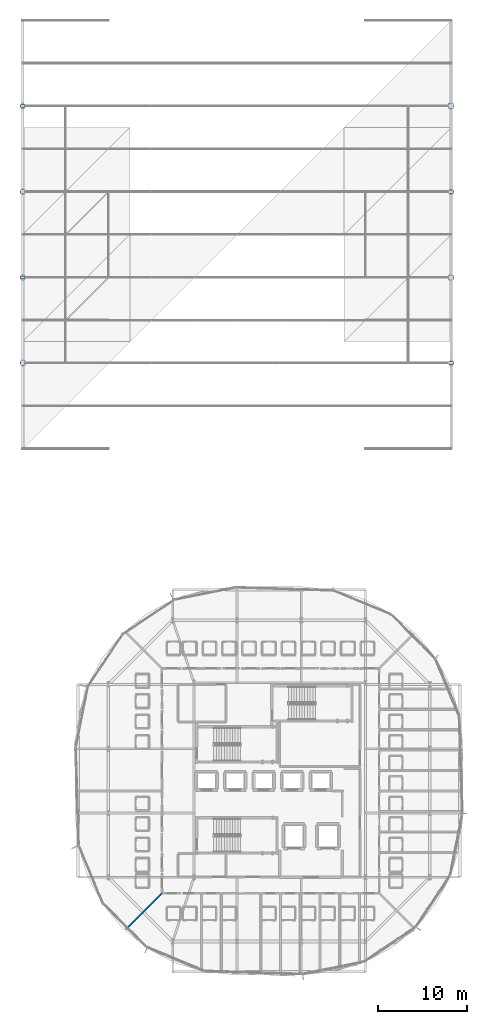
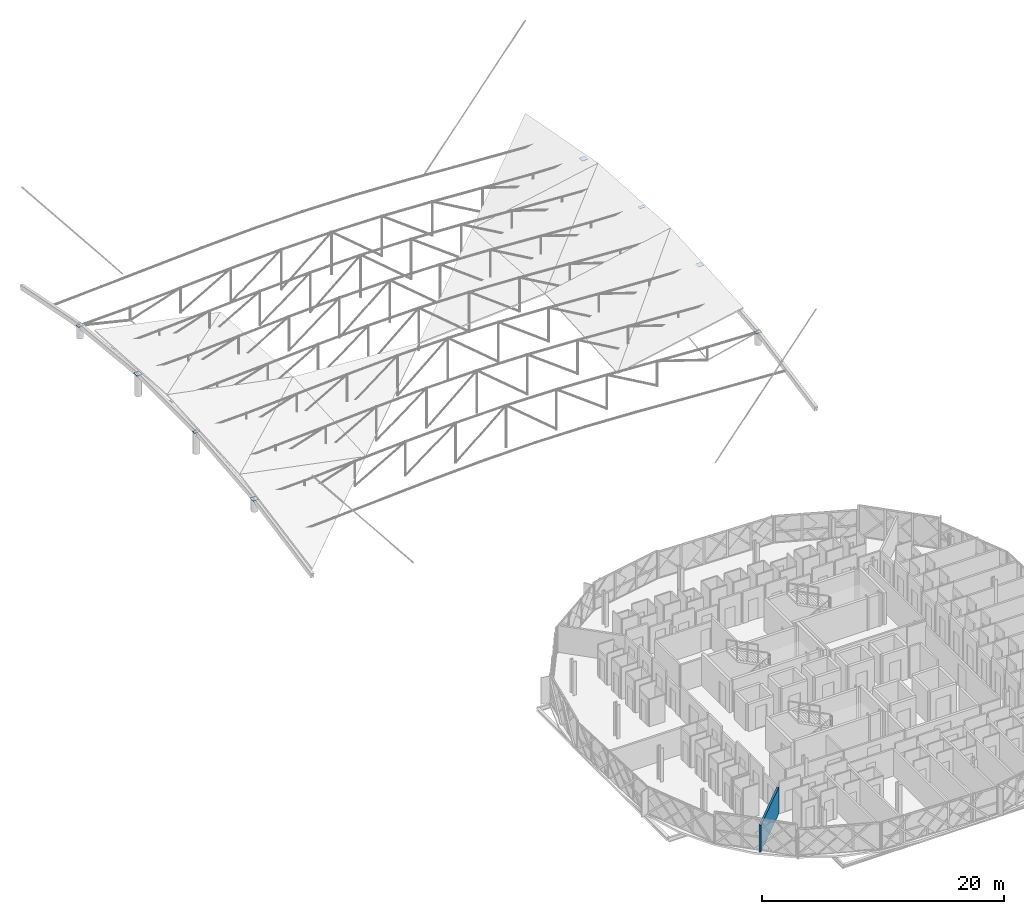
# One storey, part 37 of 50: 8 plates, 1 wall.
"""IFC4 building model written with IfcOpenShell, lengths in metres."""

import ifcopenshell
import ifcopenshell.guid

model = None  # the IFC model being written
_history = None  # IfcOwnerHistory: only IFC2X3 demands one
_inside = {}  # id of a spatial element -> (the spatial element, [elements in it])
_under = {}  # id of a project, library or spatial element -> (it, [spatial elements below it])
_declared = {}  # id of a project -> (the project, [libraries it declares])
_typed = {}  # id of a type object -> (the type object, [elements of that type])
_made_of = {}  # id of a material, layer set ... -> (it, [elements and type objects made of it])


def new_model(schema):
    """Start an empty IFC model of exactly this schema.

    Asked for "IFC4X3", IfcOpenShell would pick the latest addendum, in which some entities
    have other attributes; the version numbers below select the first issue.
    IFC2X3 requires an IfcOwnerHistory on every rooted entity: one is made here for all.
    """
    global model, _history
    if schema == "IFC4X3":
        model = ifcopenshell.file(schema_version=(4, 3, 0, 0))
    else:
        model = ifcopenshell.file(schema=schema)
    _inside.clear()
    _under.clear()
    _declared.clear()
    _typed.clear()
    _made_of.clear()
    _history = None
    if model.schema == "IFC2X3":
        org = make("IfcOrganization", Name="unknown")
        user = make(
            "IfcPersonAndOrganization",
            ThePerson=make("IfcPerson", FamilyName="unknown"),
            TheOrganization=org,
        )
        app = make(
            "IfcApplication",
            ApplicationDeveloper=org,
            Version="unknown",
            ApplicationFullName="unknown",
            ApplicationIdentifier="unknown",
        )
        _history = make(
            "IfcOwnerHistory",
            OwningUser=user,
            OwningApplication=app,
            ChangeAction="ADDED",
            CreationDate=0,
        )
    return model


def make(cls, **values):
    """One entity of the class cls with the attributes given. An attribute that is None is left unset."""
    return model.create_entity(
        cls, **{name: value for name, value in values.items() if value is not None}
    )


def rooted(cls, **values):
    """An entity with a GlobalId (a new one), such as an element, a storey or a relation."""
    return make(cls, GlobalId=ifcopenshell.guid.new(), OwnerHistory=_history, **values)


def si_unit(unit_type, name, prefix=None):
    """IfcSIUnit, for example si_unit("LENGTHUNIT", "METRE", prefix="MILLI")."""
    return make("IfcSIUnit", UnitType=unit_type, Prefix=prefix, Name=name)


def assignment(units):
    """IfcUnitAssignment: the units of a project."""
    return None if units is None else make("IfcUnitAssignment", Units=units)


def point(xyz):
    """IfcCartesianPoint."""
    return None if xyz is None else make("IfcCartesianPoint", Coordinates=xyz)


def direction(xyz):
    """IfcDirection."""
    return None if xyz is None else make("IfcDirection", DirectionRatios=xyz)


def frame(location, z_axis=None, x_axis=None):
    """IfcAxis2Placement3D, a coordinate frame: its origin and axes. An axis left out is left unset."""
    return make(
        "IfcAxis2Placement3D",
        Location=point(location),
        Axis=direction(z_axis),
        RefDirection=direction(x_axis),
    )


def frame_2d(location, x_axis=None):
    """IfcAxis2Placement2D, a coordinate frame in the plane: its origin and x axis."""
    return make(
        "IfcAxis2Placement2D", Location=point(location), RefDirection=direction(x_axis)
    )


def origin():
    """The frame at (0, 0, 0) with its axes left unset."""
    return frame((0.0, 0.0, 0.0))


def origin_2d():
    """The frame at (0, 0) in the plane with its x axis left unset."""
    return frame_2d((0.0, 0.0))


def place(relative_to, where):
    """IfcLocalPlacement: puts the frame where relative to a parent placement (None: the world)."""
    return make(
        "IfcLocalPlacement", PlacementRelTo=relative_to, RelativePlacement=where
    )


def context(
    kind, dimensions, precision=None, world=None, true_north=None, identifier=None
):
    """IfcGeometricRepresentationContext, for example the 3D "Model" context."""
    return make(
        "IfcGeometricRepresentationContext",
        ContextIdentifier=identifier,
        ContextType=kind,
        CoordinateSpaceDimension=dimensions,
        Precision=precision,
        WorldCoordinateSystem=world,
        TrueNorth=true_north,
    )


def subcontext(parent, identifier, kind, view, scale=None):
    """IfcGeometricRepresentationSubContext, for example "Body" below "Model"."""
    return make(
        "IfcGeometricRepresentationSubContext",
        ContextIdentifier=identifier,
        ContextType=kind,
        ParentContext=parent,
        TargetScale=scale,
        TargetView=view,
    )


def project(units=None, contexts=None):
    """IfcProject with its units and contexts."""
    return rooted(
        "IfcProject",
        Name="project",
        RepresentationContexts=contexts,
        UnitsInContext=assignment(units),
    )


def spatial(cls, under=None, at=None, **own):
    """A site, building, storey or space (cls), placed at a placement, below another one or the project."""
    s = rooted(cls, ObjectPlacement=at, **own)
    if under is not None:
        _under.setdefault(under.id(), (under, []))[1].append(s)
    return s


def profile(cls, at=None, kind="AREA", **sizes):
    """A parametric profile (cls). Its sizes go by their IFC names, for example OverallWidth=200.0."""
    return make(cls, ProfileType=kind, Position=at, **sizes)


def rectangle(**sizes):
    """IfcRectangleProfileDef."""
    return profile("IfcRectangleProfileDef", **sizes)


def extrude(swept, where, along, depth):
    """IfcExtrudedAreaSolid: the profile swept, set in the frame where, extruded along a direction by depth."""
    return make(
        "IfcExtrudedAreaSolid",
        SweptArea=swept,
        Position=where,
        ExtrudedDirection=direction(along),
        Depth=depth,
    )


def shape(context_of_items, identifier, shape_type, items):
    """IfcShapeRepresentation: the items that make up one representation, for example the "Body"."""
    return make(
        "IfcShapeRepresentation",
        ContextOfItems=context_of_items,
        RepresentationIdentifier=identifier,
        RepresentationType=shape_type,
        Items=items,
    )


def material(Name=None, Category=None):
    """IfcMaterial."""
    return make("IfcMaterial", Name=Name, Category=Category)


def layer(
    of_material, thickness, ventilated=None, Name=None, Category=None, Priority=None
):
    """IfcMaterialLayer: one layer of a wall or slab, of a material (None: an air gap)."""
    return make(
        "IfcMaterialLayer",
        Material=of_material,
        LayerThickness=thickness,
        IsVentilated=ventilated,
        Name=Name,
        Category=Category,
        Priority=Priority,
    )


def layer_set(layers, Name=None):
    """IfcMaterialLayerSet."""
    return make("IfcMaterialLayerSet", MaterialLayers=layers, LayerSetName=Name)


def made_of(thing, what):
    """Note that an element or type object is made of a material, layer set ...; save() writes the relation."""
    if what is not None:
        _made_of.setdefault(what.id(), (what, []))[1].append(thing)
    return thing


def type_object(cls, material=None, **own):
    """A type object (cls), such as IfcWallType, which elements share."""
    return made_of(rooted(cls, **own), material)


def element(
    cls,
    number,
    at=None,
    inside=None,
    cuts=None,
    type_object=None,
    material=None,
    context=None,
    identifier="Body",
    shape_type=None,
    held_by="IfcProductDefinitionShape",
    body=None,
    shapes=None,
    **own,
):
    """One element of the class cls, such as IfcWall. Its Tag is "e" and its number.

    at: its placement. inside: the storey or other place that contains it. cuts: it is an
    opening in that element (IfcRelVoidsElement). A single representation is given by context,
    identifier, shape_type and body (its items); several are given by shapes. held_by: the class
    of the entity that holds the representations. save() writes the other relations.
    """
    e = rooted(cls, Tag="e%d" % number, ObjectPlacement=at, **own)
    if body is not None:
        shapes = [shape(context, identifier, shape_type, body)]
    if shapes is not None:
        e.Representation = make(held_by, Representations=shapes)
    if inside is not None:
        _inside.setdefault(inside.id(), (inside, []))[1].append(e)
    if cuts is not None:
        rooted(
            "IfcRelVoidsElement", RelatingBuildingElement=cuts, RelatedOpeningElement=e
        )
    if type_object is not None:
        _typed.setdefault(type_object.id(), (type_object, []))[1].append(e)
    return made_of(e, material)


def aggregate(whole, parts):
    """IfcRelAggregates: a whole, such as a stair, and the parts it consists of."""
    return rooted("IfcRelAggregates", RelatingObject=whole, RelatedObjects=parts)


def save(model, path):
    """Write the relations noted so far, then the file.

    IfcRelAggregates (storeys below a building ...), IfcRelContainedInSpatialStructure (elements
    in a storey), IfcRelDefinesByType, IfcRelAssociatesMaterial and IfcRelDeclares: one each for
    every whole, place, type object, material and project.
    """
    for whole, parts in _under.values():
        aggregate(whole, parts)
    for where, things in _inside.values():
        rooted(
            "IfcRelContainedInSpatialStructure",
            RelatedElements=things,
            RelatingStructure=where,
        )
    for kind, things in _typed.values():
        rooted("IfcRelDefinesByType", RelatedObjects=things, RelatingType=kind)
    for what, things in _made_of.values():
        rooted("IfcRelAssociatesMaterial", RelatedObjects=things, RelatingMaterial=what)
    for by, libraries in _declared.values():
        rooted("IfcRelDeclares", RelatingContext=by, RelatedDefinitions=libraries)
    model.write(path)


model = new_model("IFC4")

# Units and contexts
model_context = context("Model", 3, precision=1e-05, world=origin(), true_north=direction((0.0, 1.0)))
body_context = subcontext(model_context, "Body", "Model", "MODEL_VIEW")
ifc_project = project(units=[si_unit("LENGTHUNIT", "METRE"), si_unit("AREAUNIT", "SQUARE_METRE"), si_unit("VOLUMEUNIT", "CUBIC_METRE"), si_unit("PLANEANGLEUNIT", "RADIAN"), si_unit("MASSUNIT", "GRAM", prefix="KILO")], contexts=[model_context])

# Site, building, storey
site_placement = place(None, origin())
site = spatial("IfcSite", under=ifc_project, at=site_placement, CompositionType="ELEMENT")
building_placement = place(site_placement, origin())
building = spatial("IfcBuilding", under=site, at=building_placement, Name="Zevrakil Square Congress Hotel", CompositionType="ELEMENT")
storey_placement = place(building_placement, frame((0.0, 0.0, 21.5)))
storey = spatial("IfcBuildingStorey", under=building, at=storey_placement, Name="L06", CompositionType="ELEMENT", Elevation=21.5)

# Plates
ifc_material_1 = material(Name="Steel S355", Category="steel")
ifc_layer_1 = layer(ifc_material_1, 0.02490234375)
ifc_layer_set_1 = layer_set([ifc_layer_1], Name="Steel S355")
plate_type_1 = type_object("IfcPlateType", Name="PLT-CAP-540", PredefinedType="SHEET", material=ifc_layer_set_1)
for number, where, z_axis, x_axis, name in (
    (1, (165.60009765625, 84.0, 2.117431640625), (0.0, 0.0, 1.0), (1.0, 0.0, 0.0), "Compression ring splice cap plate RP-08"),
    (2, (165.60009765625, 103.199951171875, 1.157470703125), (0.0, 0.0, 1.0), (1.0, 0.0, 0.0), "Compression ring splice cap plate RP-10"),
    (3, (117.60009765625, 93.60009765625, 2.117431640625), (0.0, 0.0, 1.0), (1.0, 0.0, 0.0), "Compression ring splice cap plate RP-18"),
    (4, (117.60009765625, 74.39990234375, 1.157470703125), (0.0, 0.0, 1.0), (1.0, 0.0, 0.0), "Compression ring splice cap plate RP-20"),
):
    element("IfcPlate", number, at=place(storey_placement, frame(where, z_axis=z_axis, x_axis=x_axis)), inside=storey, type_object=plate_type_1, Name=name, PredefinedType="SHEET", context=body_context, shape_type="SweptSolid", body=[
        extrude(rectangle(XDim=0.5400390625, YDim=0.5400390625, at=origin_2d()), origin(), (0.0, 0.0, 1.0), 0.02490234375),
    ])
ifc_material_2 = material(Name="Steel S355", Category="steel")
ifc_layer_2 = layer(ifc_material_2, 0.02490234375)
ifc_layer_set_2 = layer_set([ifc_layer_2], Name="Steel S355")
plate_type_2 = type_object("IfcPlateType", Name="PLT-RING-550", PredefinedType="SHEET", material=ifc_layer_set_2)
for number, where, z_axis, x_axis, name in (
    (5, (165.60009765625, 74.39990234375, 1.157470703125), (0.0, 0.0, 1.0), (1.0, 0.0, 0.0), "Compression ring splice cap plate RP-07"),
    (6, (165.60009765625, 93.60009765625, 2.117431640625), (0.0, 0.0, 1.0), (1.0, 0.0, 0.0), "Compression ring splice cap plate RP-09"),
    (7, (117.60009765625, 103.199951171875, 1.157470703125), (0.0, 0.0, 1.0), (1.0, 0.0, 0.0), "Compression ring splice cap plate RP-17"),
    (8, (117.60009765625, 84.0, 2.117431640625), (0.0, 0.0, 1.0), (1.0, 0.0, 0.0), "Compression ring splice cap plate RP-19"),
):
    element("IfcPlate", number, at=place(storey_placement, frame(where, z_axis=z_axis, x_axis=x_axis)), inside=storey, type_object=plate_type_2, Name=name, PredefinedType="SHEET", context=body_context, shape_type="SweptSolid", body=[
        extrude(rectangle(XDim=0.550048828125, YDim=0.35009765625, at=origin_2d()), origin(), (0.0, 0.0, 1.0), 0.02490234375),
    ])

# Wall
ifc_material_3 = material(Name="Gypsum Twin-Stud Party Partition")
ifc_layer_3 = layer(ifc_material_3, 0.179931640625)
ifc_layer_set_3 = layer_set([ifc_layer_3], Name="Gypsum Twin-Stud Party Partition")
wall_type = type_object("IfcWallType", Name="WAL-PARTY-180", PredefinedType="PARTITIONING", material=ifc_layer_set_3)
wall_placement = place(storey_placement, frame((133.199951171875, 15.0, 0.0), z_axis=(0.0, 0.0, 1.0), x_axis=(-0.707106781187, -0.707106781187, 0.0)))
element("IfcWall", 9, at=wall_placement, inside=storey, type_object=wall_type, Name="L06 interior partition PW-L06-0714", PredefinedType="PARTITIONING", context=body_context, shape_type="SweptSolid", body=[
    extrude(rectangle(XDim=5.697509765625, YDim=0.179931640625, at=frame_2d((2.8486328125, 0.0))), origin(), (0.0, 0.0, 1.0), 2.679931640625),
])

save(model, "model.ifc")
